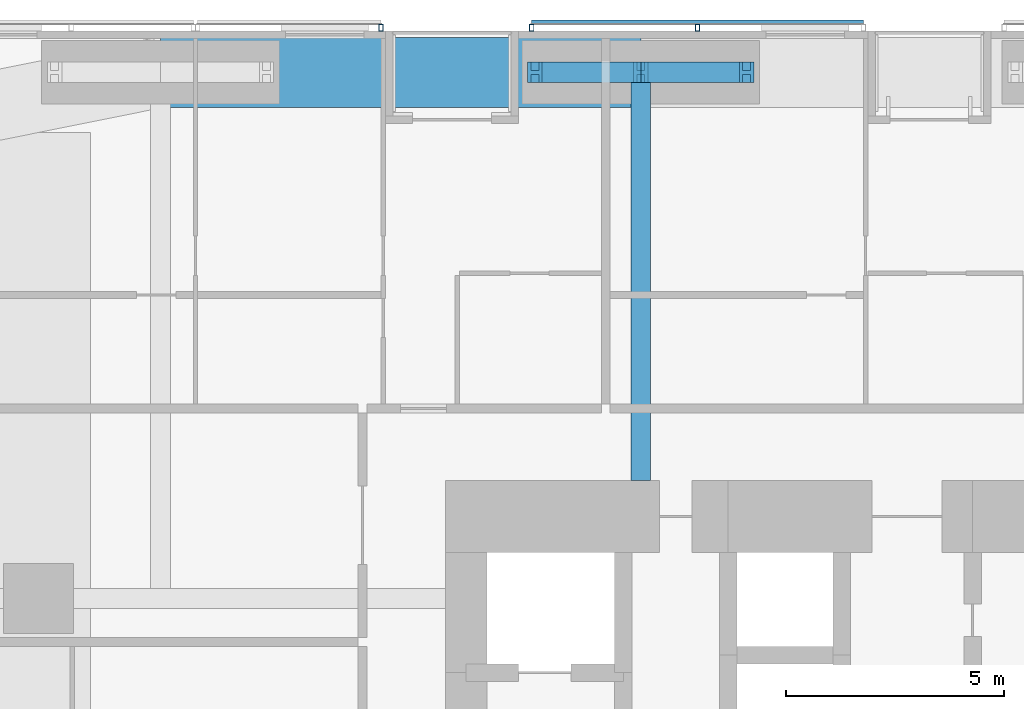
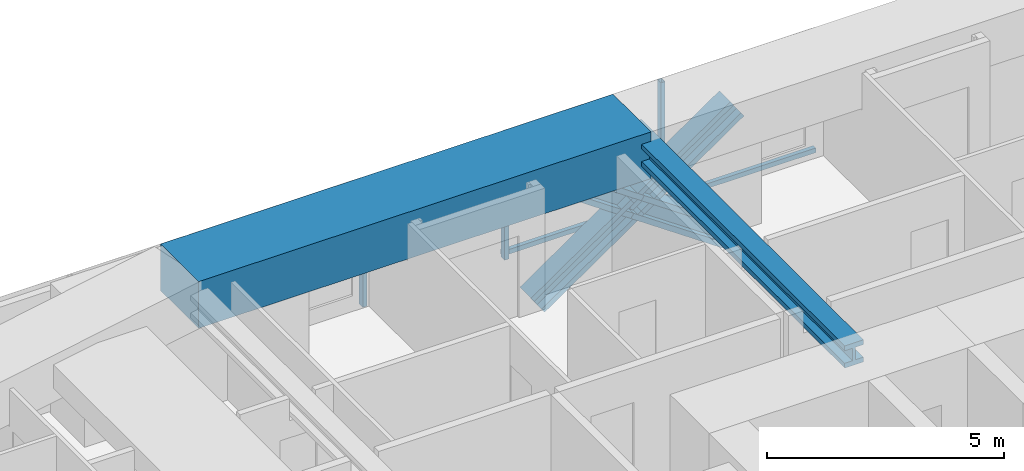
# One storey, part 12 of 23: 8 members, 2 beams, 2 elements without a shape of their own.
"""IFC4 building model written with IfcOpenShell, lengths in metres."""

from ifc_helpers import new_model, si_unit, direction, frame, origin, origin_2d, place, context, subcontext, project, spatial, rectangle, hollow_rectangle, i_section, extrude, material, material_profile, profile_set, type_object, element, aggregate, save


model = new_model("IFC4")

# Units and contexts
model_context = context("Model", 3, precision=1e-05, world=origin(), true_north=direction((0.0, 1.0)))
body_context = subcontext(model_context, "Body", "Model", "MODEL_VIEW")
ifc_project = project(units=[si_unit("LENGTHUNIT", "METRE"), si_unit("AREAUNIT", "SQUARE_METRE"), si_unit("VOLUMEUNIT", "CUBIC_METRE"), si_unit("PLANEANGLEUNIT", "RADIAN"), si_unit("MASSUNIT", "GRAM", prefix="KILO")], contexts=[model_context])

# Site, building, storey
site_placement = place(None, origin())
site = spatial("IfcSite", under=ifc_project, at=site_placement, CompositionType="ELEMENT")
building_placement = place(site_placement, origin())
building = spatial("IfcBuilding", under=site, at=building_placement, Name="Jalousie Tower", CompositionType="ELEMENT")
storey_placement = place(building_placement, frame((0.0, 0.0, 41.10009765625)))
storey = spatial("IfcBuildingStorey", under=building, at=storey_placement, Name="L10", CompositionType="ELEMENT", Elevation=41.10009765625)

# Beam
ifc_material_1 = material(Name="Steel ASTM A992 Grade 50", Category="steel")
ifc_material_profile_1 = material_profile(ifc_material_1, i_section(OverallWidth=0.45458984375, OverallDepth=0.569091796875, WebThickness=0.077880859375, FlangeThickness=0.124755859375, at=origin_2d()), Name="W14X730")
ifc_profile_set_1 = profile_set([ifc_material_profile_1], Name="Steel ASTM A992 Grade 50")
beam_type_1 = type_object("IfcBeamType", Name="LEAN COLLECTOR W14X730", PredefinedType="BEAM", material=ifc_profile_set_1)
beam_1_placement = place(storey_placement, frame((24.0, 37.050048828125, 2.825439453125), z_axis=(0.0, -1.0, 0.0), x_axis=(1.0, 0.0, 0.0)))
element("IfcBeam", 1, at=beam_1_placement, inside=storey, type_object=beam_type_1, Name="Lean collector under L11", PredefinedType="BEAM", context=body_context, shape_type="SweptSolid", body=[
    extrude(i_section(OverallWidth=0.45458984375, OverallDepth=0.569091796875, WebThickness=0.077880859375, FlangeThickness=0.124755859375, at=origin_2d()), origin(), (0.0, 0.0, 1.0), 9.35009765625),
])

# Members
ifc_material_2 = material(Name="Steel ASTM A992 Grade 50", Category="steel")
ifc_material_profile_2 = material_profile(ifc_material_2, i_section(OverallWidth=0.472412109375, OverallDepth=0.5791015625, WebThickness=0.094970703125, FlangeThickness=0.1298828125, at=origin_2d()), Name="W14X808")
ifc_profile_set_2 = profile_set([ifc_material_profile_2], Name="Steel ASTM A992 Grade 50")
member_type_1 = type_object("IfcMemberType", Name="PERIMETER BRACE W14X808", PredefinedType="BRACE", material=ifc_profile_set_2)
for number, where, z_axis, x_axis, name in (
    (2, (21.574951171875, 37.050048828125, -0.60009765625), (0.822800062329, 0.0, 0.568330940062), (0.0, 1.0, 0.0), "Perimeter brace 10 L10 part 1"),
    (3, (24.0, 37.050048828125, 1.074951171875), (0.822800062329, 0.0, 0.568330940062), (0.0, 1.0, 0.0), "Perimeter brace 10 L10 part 2"),
    (4, (26.425048828125, 37.050048828125, -0.60009765625), (-0.822800062329, 0.0, 0.568330940062), (0.0, -1.0, 0.0), "Perimeter brace 10 L10 part 3"),
    (5, (24.0, 37.050048828125, 1.074951171875), (-0.822800062329, 0.0, 0.568330940062), (0.0, -1.0, 0.0), "Perimeter brace 10 L10 part 4"),
):
    element("IfcMember", number, at=place(storey_placement, frame(where, z_axis=z_axis, x_axis=x_axis)), inside=storey, type_object=member_type_1, Name=name, PredefinedType="BRACE", context=body_context, shape_type="SweptSolid", body=[
        extrude(i_section(OverallWidth=0.472412109375, OverallDepth=0.5791015625, WebThickness=0.094970703125, FlangeThickness=0.1298828125, at=origin_2d()), origin(), (0.0, 0.0, 1.0), 2.947265625),
    ])

# Beam
ifc_material_3 = material(Name="Concrete f'c 40 MPa", Category="concrete")
ifc_material_profile_3 = material_profile(ifc_material_3, rectangle(XDim=1.60009765625, YDim=1.199951171875, at=origin_2d()), Name="RC 1600x1200")
ifc_profile_set_3 = profile_set([ifc_material_profile_3], Name="Concrete f'c 40 MPa")
beam_type_2 = type_object("IfcBeamType", Name="RC BEAM 1600x1200", PredefinedType="BEAM", material=ifc_profile_set_3)
beam_2_placement = place(storey_placement, frame((24.0, 37.050048828125, 2.75), z_axis=(-1.0, 0.0, 0.0), x_axis=(0.0, -1.0, 0.0)))
element("IfcBeam", 6, at=beam_2_placement, inside=storey, type_object=beam_type_2, Name="Edge band beam 10-11 under L11", PredefinedType="BEAM", context=body_context, shape_type="SweptSolid", body=[
    extrude(rectangle(XDim=1.60009765625, YDim=1.199951171875, at=origin_2d()), origin(), (0.0, 0.0, 1.0), 11.0),
])

# Curtain wall, members
ifc_material_4 = material(Name="Perforated aluminium sheet", Category="aluminium")
curtain_wall_type = type_object("IfcCurtainWallType", Name="SOLAR SCREEN SS-1", PredefinedType="USERDEFINED", material=ifc_material_4)
curtain_wall_1_placement = place(storey_placement, origin())
curtain_wall_1 = element("IfcCurtainWall", 7, at=curtain_wall_1_placement, inside=storey, type_object=curtain_wall_type, Name="Solar screen L10", ObjectType="SOLAR SCREEN SS-1", PredefinedType="USERDEFINED")
ifc_material_5 = material(Name="Steel ASTM A500 Grade C", Category="steel")
ifc_material_profile_4 = material_profile(ifc_material_5, hollow_rectangle(XDim=0.1015625, YDim=0.15234375, WallThickness=0.00634765625, at=origin_2d()), Name="HSS6X4X1/4")
ifc_profile_set_4 = profile_set([ifc_material_profile_4], Name="Steel ASTM A500 Grade C")
member_type_2 = type_object("IfcMemberType", Name="SOLAR SCREEN SS-1 MULLION", PredefinedType="MULLION", material=ifc_profile_set_4)
member_1_placement = place(storey_placement, frame((25.300048828125, 38.0712890625, -0.1201171875), z_axis=(0.0, 0.0, 1.0), x_axis=(-1.0, 0.0, 0.0)))
member_1 = element("IfcMember", 8, at=member_1_placement, type_object=member_type_2, Name="SS1 post 2", PredefinedType="MULLION", context=body_context, shape_type="SweptSolid", body=[
    extrude(hollow_rectangle(XDim=0.1015625, YDim=0.15234375, WallThickness=0.00634765625, at=origin_2d()), origin(), (0.0, 0.0, 1.0), 3.22998046875),
])
member_2_placement = place(storey_placement, frame((21.5, 38.0712890625, -0.1201171875), z_axis=(0.0, 0.0, 1.0), x_axis=(-1.0, 0.0, 0.0)))
member_2 = element("IfcMember", 9, at=member_2_placement, type_object=member_type_2, Name="SS1 post 3", PredefinedType="MULLION", context=body_context, shape_type="SweptSolid", body=[
    extrude(hollow_rectangle(XDim=0.1015625, YDim=0.15234375, WallThickness=0.00634765625, at=origin_2d()), origin(), (0.0, 0.0, 1.0), 3.22998046875),
])

# Curtain wall, member
curtain_wall_2_placement = place(storey_placement, origin())
curtain_wall_2 = element("IfcCurtainWall", 10, at=curtain_wall_2_placement, inside=storey, type_object=curtain_wall_type, Name="Solar screen L10", ObjectType="SOLAR SCREEN SS-1", PredefinedType="USERDEFINED")
member_3_placement = place(storey_placement, frame((18.050048828125, 38.0712890625, -0.1201171875), z_axis=(0.0, 0.0, 1.0), x_axis=(-1.0, 0.0, 0.0)))
member_3 = element("IfcMember", 11, at=member_3_placement, type_object=member_type_2, Name="SS1 post 1", PredefinedType="MULLION", context=body_context, shape_type="SweptSolid", body=[
    extrude(hollow_rectangle(XDim=0.1015625, YDim=0.15234375, WallThickness=0.00634765625, at=origin_2d()), origin(), (0.0, 0.0, 1.0), 3.22998046875),
])
aggregate(curtain_wall_2, [member_3])

# Member
ifc_material_6 = material(Name="Extruded aluminium screen rail", Category="aluminium")
ifc_material_profile_5 = material_profile(ifc_material_6, rectangle(XDim=0.1015625, YDim=0.1201171875, at=origin_2d()), Name="RAIL 102x120")
ifc_profile_set_5 = profile_set([ifc_material_profile_5], Name="Extruded aluminium screen rail")
member_type_3 = type_object("IfcMemberType", Name="SOLAR SCREEN SS-1 TRANSOM", PredefinedType="USERDEFINED", material=ifc_profile_set_5)
member_4_placement = place(storey_placement, frame((29.10009765625, 38.1982421875, -0.06005859375), z_axis=(-1.0, 0.0, 0.0), x_axis=(0.0, -1.0, 0.0)))
member_4 = element("IfcMember", 12, at=member_4_placement, type_object=member_type_3, Name="SS1 rail", ObjectType="TRANSOM", PredefinedType="USERDEFINED", context=body_context, shape_type="SweptSolid", body=[
    extrude(rectangle(XDim=0.1015625, YDim=0.1201171875, at=origin_2d()), origin(), (0.0, 0.0, 1.0), 7.60009765625),
])

aggregate(curtain_wall_1, [member_1, member_2, member_4])

save(model, "model.ifc")
